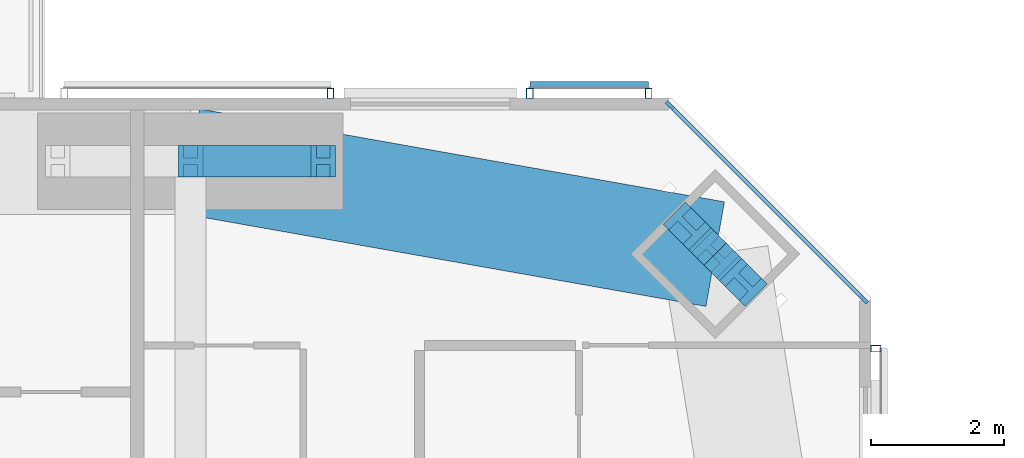
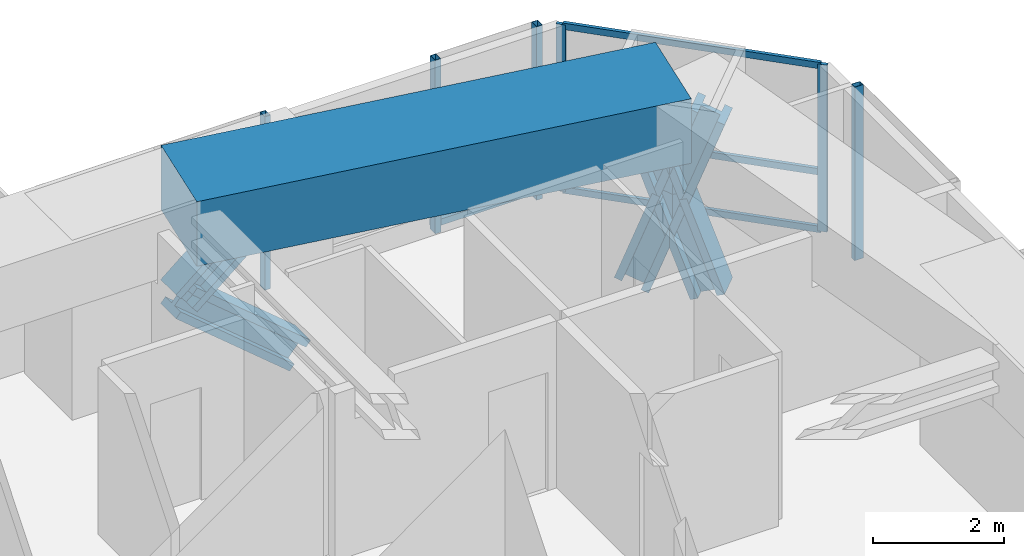
# One storey, part 13 of 23: 16 members, 1 beam, 4 elements without a shape of their own.
"""IFC4 building model written with IfcOpenShell, lengths in metres."""

from ifc_helpers import new_model, si_unit, direction, frame, origin, origin_2d, place, context, subcontext, project, spatial, rectangle, hollow_rectangle, i_section, extrude, material, material_profile, profile_set, type_object, element, aggregate, save


model = new_model("IFC4")

# Units and contexts
model_context = context("Model", 3, precision=1e-05, world=origin(), true_north=direction((0.0, 1.0)))
body_context = subcontext(model_context, "Body", "Model", "MODEL_VIEW")
ifc_project = project(units=[si_unit("LENGTHUNIT", "METRE"), si_unit("AREAUNIT", "SQUARE_METRE"), si_unit("VOLUMEUNIT", "CUBIC_METRE"), si_unit("PLANEANGLEUNIT", "RADIAN"), si_unit("MASSUNIT", "GRAM", prefix="KILO")], contexts=[model_context])

# Site, building, storey
site_placement = place(None, origin())
site = spatial("IfcSite", under=ifc_project, at=site_placement, CompositionType="ELEMENT")
building_placement = place(site_placement, origin())
building = spatial("IfcBuilding", under=site, at=building_placement, Name="Jalousie Tower", CompositionType="ELEMENT")
storey_placement = place(building_placement, frame((0.0, 0.0, 157.699951171875)))
storey = spatial("IfcBuildingStorey", under=building, at=storey_placement, Name="L42", CompositionType="ELEMENT", Elevation=157.699951171875)

# Curtain wall, members
ifc_material_1 = material(Name="Aluminium curtain wall", Category="aluminium")
curtain_wall_type_1 = type_object("IfcCurtainWallType", Name="CORNER WINDOW WALL", PredefinedType="USERDEFINED", material=ifc_material_1)
curtain_wall_1_placement = place(storey_placement, origin())
curtain_wall_1 = element("IfcCurtainWall", 1, at=curtain_wall_1_placement, inside=storey, type_object=curtain_wall_type_1, Name="Corner Window Wall L42 4", ObjectType="CORNER WINDOW WALL", PredefinedType="USERDEFINED")
ifc_material_2 = material(Name="Aluminium mullion", Category="aluminium")
ifc_material_profile_1 = material_profile(ifc_material_2, rectangle(XDim=0.06005859375, YDim=0.14990234375, at=origin_2d()), Name="MULLION 60x150")
ifc_profile_set_1 = profile_set([ifc_material_profile_1], Name="Aluminium mullion")
member_type_1 = type_object("IfcMemberType", Name="CORNER WINDOW WALL MULLION", PredefinedType="MULLION", material=ifc_profile_set_1)
member_1_placement = place(storey_placement, frame((52.891357421875, 32.969970703125, 0.0), z_axis=(0.0, 0.0, 1.0), x_axis=(-0.707106781187, -0.707106781187, 0.0)))
member_1 = element("IfcMember", 2, at=member_1_placement, type_object=member_type_1, Name="CW-C mullion 1", PredefinedType="MULLION", context=body_context, shape_type="SweptSolid", body=[
    extrude(rectangle(XDim=0.06005859375, YDim=0.14990234375, at=origin_2d()), origin(), (0.0, 0.0, 1.0), 3.110107421875),
])
member_2_placement = place(storey_placement, frame((49.969970703125, 35.891357421875, 0.0), z_axis=(0.0, 0.0, 1.0), x_axis=(-0.707106781187, -0.707106781187, 0.0)))
member_2 = element("IfcMember", 3, at=member_2_placement, type_object=member_type_1, Name="CW-C mullion 2", PredefinedType="MULLION", context=body_context, shape_type="SweptSolid", body=[
    extrude(rectangle(XDim=0.06005859375, YDim=0.14990234375, at=origin_2d()), origin(), (0.0, 0.0, 1.0), 3.110107421875),
])
ifc_material_3 = material(Name="Aluminium transom", Category="aluminium")
ifc_material_profile_2 = material_profile(ifc_material_3, rectangle(XDim=0.06005859375, YDim=0.1201171875, at=origin_2d()), Name="TRANSOM 60x120")
ifc_profile_set_2 = profile_set([ifc_material_profile_2], Name="Aluminium transom")
member_type_2 = type_object("IfcMemberType", Name="CORNER WINDOW WALL TRANSOM", PredefinedType="USERDEFINED", material=ifc_profile_set_2)
member_3_placement = place(storey_placement, frame((52.8701171875, 32.9912109375, 0.030029296875), z_axis=(-0.707106781187, 0.707106781187, 0.0), x_axis=(-0.707106781187, -0.707106781187, 0.0)))
member_3 = element("IfcMember", 4, at=member_3_placement, type_object=member_type_2, Name="CW-C transom 1.1", ObjectType="TRANSOM", PredefinedType="USERDEFINED", context=body_context, shape_type="SweptSolid", body=[
    extrude(rectangle(XDim=0.06005859375, YDim=0.1201171875, at=origin_2d()), origin(), (0.0, 0.0, 1.0), 4.0712890625),
])
member_4_placement = place(storey_placement, frame((52.8701171875, 32.9912109375, 1.10009765625), z_axis=(-0.707106781187, 0.707106781187, 0.0), x_axis=(-0.707106781187, -0.707106781187, 0.0)))
member_4 = element("IfcMember", 5, at=member_4_placement, type_object=member_type_2, Name="CW-C transom 1.2", ObjectType="TRANSOM", PredefinedType="USERDEFINED", context=body_context, shape_type="SweptSolid", body=[
    extrude(rectangle(XDim=0.06005859375, YDim=0.1201171875, at=origin_2d()), origin(), (0.0, 0.0, 1.0), 4.0712890625),
])
member_5_placement = place(storey_placement, frame((52.8701171875, 32.9912109375, 3.080078125), z_axis=(-0.707106781187, 0.707106781187, 0.0), x_axis=(-0.707106781187, -0.707106781187, 0.0)))
member_5 = element("IfcMember", 6, at=member_5_placement, type_object=member_type_2, Name="CW-C transom 1.3", ObjectType="TRANSOM", PredefinedType="USERDEFINED", context=body_context, shape_type="SweptSolid", body=[
    extrude(rectangle(XDim=0.06005859375, YDim=0.1201171875, at=origin_2d()), origin(), (0.0, 0.0, 1.0), 4.0712890625),
])
aggregate(curtain_wall_1, [member_1, member_2, member_3, member_4, member_5])

# Members
ifc_material_4 = material(Name="Steel ASTM A992 Grade 50", Category="steel")
ifc_material_profile_3 = material_profile(ifc_material_4, i_section(OverallWidth=0.472412109375, OverallDepth=0.5791015625, WebThickness=0.094970703125, FlangeThickness=0.1298828125, at=origin_2d()), Name="W14X808")
ifc_profile_set_3 = profile_set([ifc_material_profile_3], Name="Steel ASTM A992 Grade 50")
member_type_3 = type_object("IfcMemberType", Name="PERIMETER BRACE W14X808", PredefinedType="BRACE", material=ifc_profile_set_3)
member_6_placement = place(storey_placement, frame((51.07568359375, 33.227294921875, -0.599853515625), z_axis=(-0.238376334543, 0.238513569048, 0.941428701766), x_axis=(-0.707310235866, -0.706903267951, 0.0)))
element("IfcMember", 7, at=member_6_placement, inside=storey, type_object=member_type_3, Name="Perimeter brace 08 L42 part 1", PredefinedType="BRACE", context=body_context, shape_type="SweptSolid", body=[
    extrude(i_section(OverallWidth=0.472412109375, OverallDepth=0.5791015625, WebThickness=0.094970703125, FlangeThickness=0.1298828125, at=origin_2d()), origin(), (0.0, 0.0, 1.0), 1.779052734375),
])
member_7_placement = place(storey_placement, frame((50.651611328125, 33.651611328125, 1.074951171875), z_axis=(-0.238482757655, 0.238345540878, 0.941444303953), x_axis=(-0.706903267951, -0.707310235866, 0.0)))
element("IfcMember", 8, at=member_7_placement, inside=storey, type_object=member_type_3, Name="Perimeter brace 08 L42 part 2", PredefinedType="BRACE", context=body_context, shape_type="SweptSolid", body=[
    extrude(i_section(OverallWidth=0.472412109375, OverallDepth=0.5791015625, WebThickness=0.094970703125, FlangeThickness=0.1298828125, at=origin_2d()), origin(), (0.0, 0.0, 1.0), 1.779296875),
])
member_8_placement = place(storey_placement, frame((50.227294921875, 34.07568359375, -0.599853515625), z_axis=(0.238513569048, -0.238376334543, 0.941428701766), x_axis=(0.706903267951, 0.707310235866, 0.0)))
element("IfcMember", 9, at=member_8_placement, inside=storey, type_object=member_type_3, Name="Perimeter brace 08 L42 part 3", PredefinedType="BRACE", context=body_context, shape_type="SweptSolid", body=[
    extrude(i_section(OverallWidth=0.472412109375, OverallDepth=0.5791015625, WebThickness=0.094970703125, FlangeThickness=0.1298828125, at=origin_2d()), origin(), (0.0, 0.0, 1.0), 1.779052734375),
])
member_9_placement = place(storey_placement, frame((50.651611328125, 33.651611328125, 1.074951171875), z_axis=(0.238345540878, -0.238482757655, 0.941444303953), x_axis=(0.707310235866, 0.706903267951, 0.0)))
element("IfcMember", 10, at=member_9_placement, inside=storey, type_object=member_type_3, Name="Perimeter brace 08 L42 part 4", PredefinedType="BRACE", context=body_context, shape_type="SweptSolid", body=[
    extrude(i_section(OverallWidth=0.472412109375, OverallDepth=0.5791015625, WebThickness=0.094970703125, FlangeThickness=0.1298828125, at=origin_2d()), origin(), (0.0, 0.0, 1.0), 1.779296875),
])
member_10_placement = place(storey_placement, frame((42.75, 35.050048828125, 1.074951171875), z_axis=(0.766638753323, 0.0, 0.642078672674), x_axis=(0.0, 1.0, 0.0)))
element("IfcMember", 11, at=member_10_placement, inside=storey, type_object=member_type_3, Name="Perimeter brace 09 L42 part 2", PredefinedType="BRACE", context=body_context, shape_type="SweptSolid", body=[
    extrude(i_section(OverallWidth=0.472412109375, OverallDepth=0.5791015625, WebThickness=0.094970703125, FlangeThickness=0.1298828125, at=origin_2d()), origin(), (0.0, 0.0, 1.0), 2.60888671875),
])
member_11_placement = place(storey_placement, frame((44.75, 35.050048828125, -0.599853515625), z_axis=(-0.766684820047, 0.0, 0.642023665225), x_axis=(0.0, -1.0, 0.0)))
element("IfcMember", 12, at=member_11_placement, inside=storey, type_object=member_type_3, Name="Perimeter brace 09 L42 part 3", PredefinedType="BRACE", context=body_context, shape_type="SweptSolid", body=[
    extrude(i_section(OverallWidth=0.472412109375, OverallDepth=0.5791015625, WebThickness=0.094970703125, FlangeThickness=0.1298828125, at=origin_2d()), origin(), (0.0, 0.0, 1.0), 2.608642578125),
])

# Beam
ifc_material_5 = material(Name="Concrete f'c 40 MPa", Category="concrete")
ifc_material_profile_4 = material_profile(ifc_material_5, rectangle(XDim=1.60009765625, YDim=1.199951171875, at=origin_2d()), Name="RC 1600x1200")
ifc_profile_set_4 = profile_set([ifc_material_profile_4], Name="Concrete f'c 40 MPa")
beam_type = type_object("IfcBeamType", Name="RC BEAM 1600x1200", PredefinedType="BEAM", material=ifc_profile_set_4)
beam_placement = place(storey_placement, frame((50.651611328125, 33.651611328125, 2.75), z_axis=(-0.984697370688, 0.174273027632, 0.0), x_axis=(-0.174273027632, -0.984697370688, 0.0)))
element("IfcBeam", 13, at=beam_placement, inside=storey, type_object=beam_type, Name="Edge band beam 08-09 under L43", PredefinedType="BEAM", context=body_context, shape_type="SweptSolid", body=[
    extrude(rectangle(XDim=1.60009765625, YDim=1.199951171875, at=origin_2d()), origin(), (0.0, 0.0, 1.0), 8.0244140625),
])

# Curtain wall, member
ifc_material_6 = material(Name="Perforated aluminium sheet", Category="aluminium")
curtain_wall_type_2 = type_object("IfcCurtainWallType", Name="SOLAR SCREEN SS-1", PredefinedType="USERDEFINED", material=ifc_material_6)
curtain_wall_2_placement = place(storey_placement, origin())
curtain_wall_2 = element("IfcCurtainWall", 14, at=curtain_wall_2_placement, inside=storey, type_object=curtain_wall_type_2, Name="Solar screen L42", ObjectType="SOLAR SCREEN SS-1", PredefinedType="USERDEFINED")
ifc_material_7 = material(Name="Steel ASTM A500 Grade C", Category="steel")
ifc_material_profile_5 = material_profile(ifc_material_7, hollow_rectangle(XDim=0.1015625, YDim=0.15234375, WallThickness=0.00634765625, at=origin_2d()), Name="HSS6X4X1/4")
ifc_profile_set_5 = profile_set([ifc_material_profile_5], Name="Steel ASTM A500 Grade C")
member_type_4 = type_object("IfcMemberType", Name="SOLAR SCREEN SS-1 MULLION", PredefinedType="MULLION", material=ifc_profile_set_5)
member_12_placement = place(storey_placement, frame((53.0712890625, 32.228759765625, -0.119873046875), z_axis=(0.0, 0.0, 1.0), x_axis=(0.0, 1.0, 0.0)))
member_12 = element("IfcMember", 15, at=member_12_placement, type_object=member_type_4, Name="SS1 post 2", PredefinedType="MULLION", context=body_context, shape_type="SweptSolid", body=[
    extrude(hollow_rectangle(XDim=0.1015625, YDim=0.15234375, WallThickness=0.00634765625, at=origin_2d()), origin(), (0.0, 0.0, 1.0), 3.22998046875),
])
aggregate(curtain_wall_2, [member_12])

# Curtain wall, members
curtain_wall_3_placement = place(storey_placement, origin())
curtain_wall_3 = element("IfcCurtainWall", 16, at=curtain_wall_3_placement, inside=storey, type_object=curtain_wall_type_2, Name="Solar screen L42", ObjectType="SOLAR SCREEN SS-1", PredefinedType="USERDEFINED")
member_13_placement = place(storey_placement, frame((49.648681640625, 36.0712890625, -0.119873046875), z_axis=(0.0, 0.0, 1.0), x_axis=(-1.0, 0.0, 0.0)))
member_13 = element("IfcMember", 17, at=member_13_placement, type_object=member_type_4, Name="SS1 post 1", PredefinedType="MULLION", context=body_context, shape_type="SweptSolid", body=[
    extrude(hollow_rectangle(XDim=0.1015625, YDim=0.15234375, WallThickness=0.00634765625, at=origin_2d()), origin(), (0.0, 0.0, 1.0), 3.22998046875),
])
member_14_placement = place(storey_placement, frame((47.859130859375, 36.0712890625, -0.119873046875), z_axis=(0.0, 0.0, 1.0), x_axis=(-1.0, 0.0, 0.0)))
member_14 = element("IfcMember", 18, at=member_14_placement, type_object=member_type_4, Name="SS1 post 2", PredefinedType="MULLION", context=body_context, shape_type="SweptSolid", body=[
    extrude(hollow_rectangle(XDim=0.1015625, YDim=0.15234375, WallThickness=0.00634765625, at=origin_2d()), origin(), (0.0, 0.0, 1.0), 3.22998046875),
])

# Curtain wall, member
curtain_wall_4_placement = place(storey_placement, origin())
curtain_wall_4 = element("IfcCurtainWall", 19, at=curtain_wall_4_placement, inside=storey, type_object=curtain_wall_type_2, Name="Solar screen L42", ObjectType="SOLAR SCREEN SS-1", PredefinedType="USERDEFINED")
member_15_placement = place(storey_placement, frame((44.859130859375, 36.0712890625, -0.119873046875), z_axis=(0.0, 0.0, 1.0), x_axis=(-1.0, 0.0, 0.0)))
member_15 = element("IfcMember", 20, at=member_15_placement, type_object=member_type_4, Name="SS1 post 1", PredefinedType="MULLION", context=body_context, shape_type="SweptSolid", body=[
    extrude(hollow_rectangle(XDim=0.1015625, YDim=0.15234375, WallThickness=0.00634765625, at=origin_2d()), origin(), (0.0, 0.0, 1.0), 3.22998046875),
])
aggregate(curtain_wall_4, [member_15])

# Member
ifc_material_8 = material(Name="Extruded aluminium screen rail", Category="aluminium")
ifc_material_profile_6 = material_profile(ifc_material_8, rectangle(XDim=0.1015625, YDim=0.1201171875, at=origin_2d()), Name="RAIL 102x120")
ifc_profile_set_6 = profile_set([ifc_material_profile_6], Name="Extruded aluminium screen rail")
member_type_5 = type_object("IfcMemberType", Name="SOLAR SCREEN SS-1 TRANSOM", PredefinedType="USERDEFINED", material=ifc_profile_set_6)
member_16_placement = place(storey_placement, frame((49.648681640625, 36.1982421875, -0.06005859375), z_axis=(-1.0, 0.0, 0.0), x_axis=(0.0, -1.0, 0.0)))
member_16 = element("IfcMember", 21, at=member_16_placement, type_object=member_type_5, Name="SS1 rail", ObjectType="TRANSOM", PredefinedType="USERDEFINED", context=body_context, shape_type="SweptSolid", body=[
    extrude(rectangle(XDim=0.1015625, YDim=0.1201171875, at=origin_2d()), origin(), (0.0, 0.0, 1.0), 1.78955078125),
])

aggregate(curtain_wall_3, [member_13, member_14, member_16])

save(model, "model.ifc")
